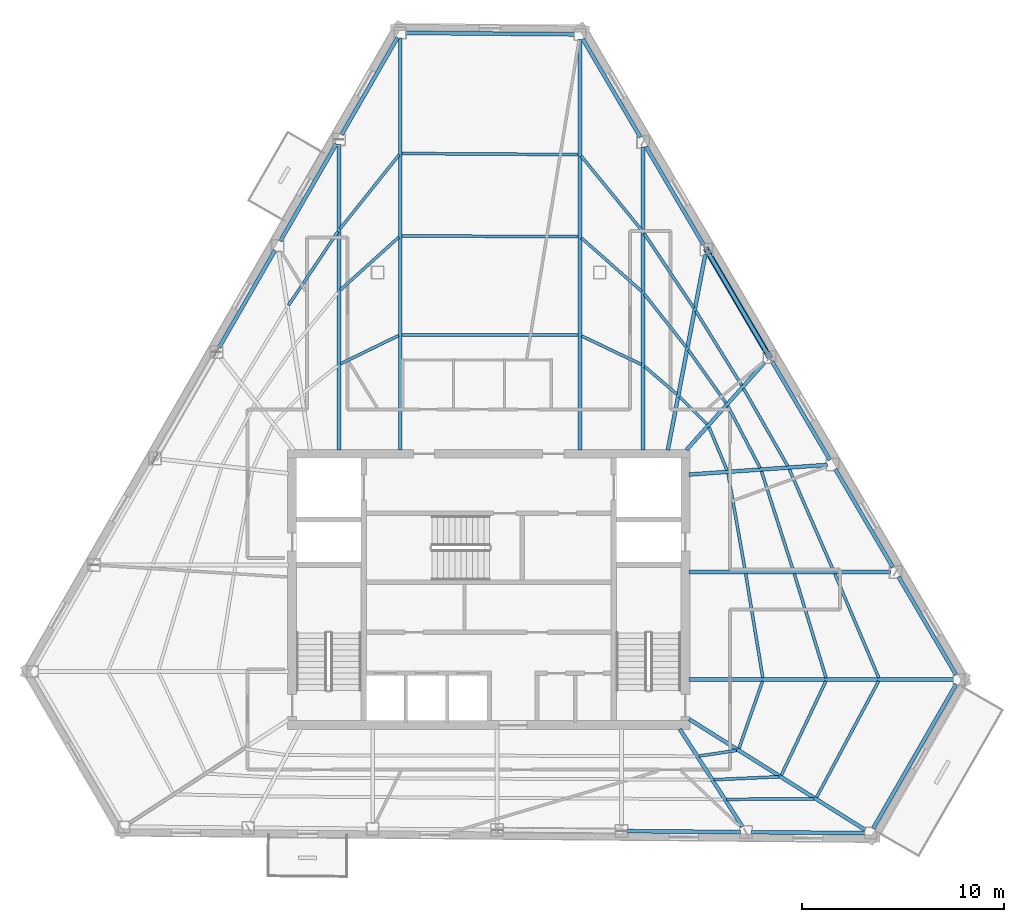
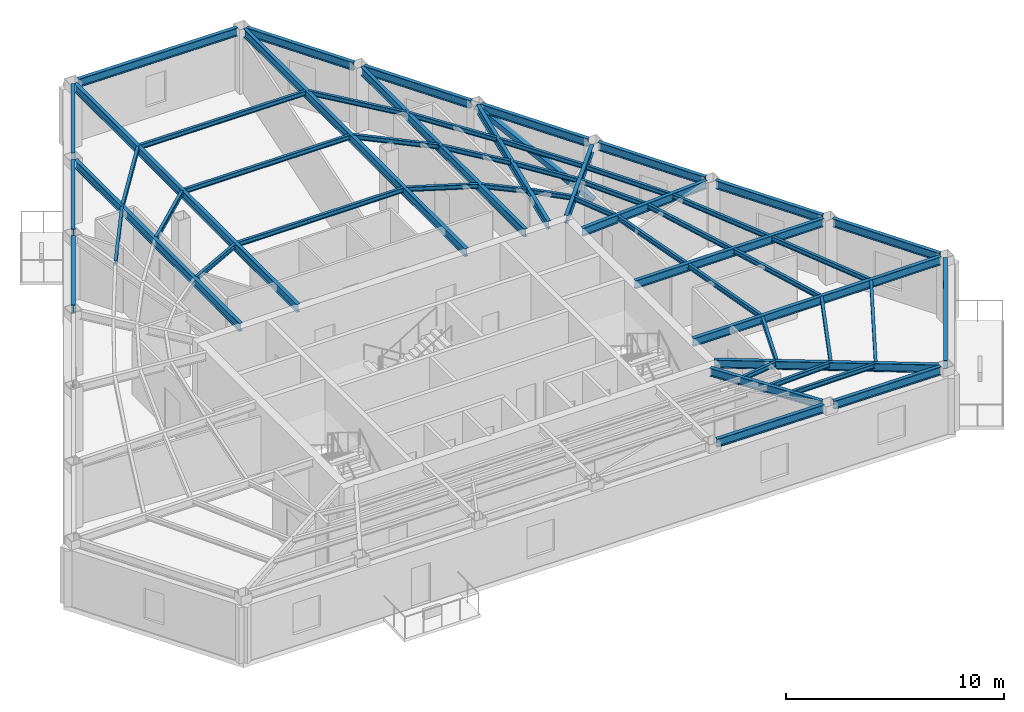
# One storey, part 2 of 12: 55 beams, 1 member.
"""IFC4 building model written with IfcOpenShell, lengths in metres."""

from ifc_helpers import new_model, si_unit, direction, frame, origin, origin_2d, place, context, subcontext, project, spatial, hollow_rectangle, i_section, extrude, material, material_profile, profile_set, type_object, element, save


model = new_model("IFC4")

# Units and contexts
model_context = context("Model", 3, precision=1e-05, world=origin(), true_north=direction((0.0, 1.0)))
body_context = subcontext(model_context, "Body", "Model", "MODEL_VIEW")
ifc_project = project(units=[si_unit("LENGTHUNIT", "METRE"), si_unit("AREAUNIT", "SQUARE_METRE"), si_unit("VOLUMEUNIT", "CUBIC_METRE"), si_unit("PLANEANGLEUNIT", "RADIAN"), si_unit("MASSUNIT", "GRAM", prefix="KILO")], contexts=[model_context])

# Site, building, storey
site_placement = place(None, origin())
site = spatial("IfcSite", under=ifc_project, at=site_placement, CompositionType="ELEMENT")
building_placement = place(site_placement, origin())
building = spatial("IfcBuilding", under=site, at=building_placement, Name="Kavelnor Concourse Tower", CompositionType="ELEMENT")
storey_placement = place(building_placement, frame((0.0, 0.0, 191.949951171875)))
storey = spatial("IfcBuildingStorey", under=building, at=storey_placement, Name="L48", CompositionType="ELEMENT", Elevation=191.949951171875)

# Beams
ifc_material = material(Name="Steel Grade 350", Category="steel")
ifc_material_profile_1 = material_profile(ifc_material, i_section(OverallWidth=0.14599609375, OverallDepth=0.256103515625, WebThickness=0.00634765625, FlangeThickness=0.010986328125, at=origin_2d()), Name="250UB37")
ifc_profile_set_1 = profile_set([ifc_material_profile_1], Name="Steel Grade 350")
beam_type_1 = type_object("IfcBeamType", Name="BM-JOIST-250", PredefinedType="JOIST", material=ifc_profile_set_1)
beam_1_placement = place(storey_placement, frame((48.41748046875, 7.8505859375, 3.47216796875), z_axis=(0.988842801854, 0.148962791401, 0.0), x_axis=(-0.148962791401, 0.988842801854, 0.0)))
element("IfcBeam", 1, at=beam_1_placement, inside=storey, type_object=beam_type_1, Name="L48 Secondary Composite Joist 07-1", PredefinedType="JOIST", context=body_context, shape_type="SweptSolid", body=[
    extrude(i_section(OverallWidth=0.14599609375, OverallDepth=0.256103515625, WebThickness=0.00634765625, FlangeThickness=0.010986328125, at=origin_2d()), origin(), (0.0, 0.0, 1.0), 1.8798828125),
])
beam_2_placement = place(storey_placement, frame((49.16455078125, 6.67919921875, 3.47216796875), z_axis=(0.998964923777, 0.045487152734, 0.0), x_axis=(-0.045487152734, 0.998964923777, 0.0)))
element("IfcBeam", 2, at=beam_2_placement, inside=storey, type_object=beam_type_1, Name="L48 Secondary Composite Joist 07-2", PredefinedType="JOIST", context=body_context, shape_type="SweptSolid", body=[
    extrude(i_section(OverallWidth=0.14599609375, OverallDepth=0.256103515625, WebThickness=0.00634765625, FlangeThickness=0.010986328125, at=origin_2d()), origin(), (0.0, 0.0, 1.0), 3.204345703125),
])
beam_3_placement = place(storey_placement, frame((49.78662109375, 5.706787109375, 3.47216796875), z_axis=(0.99998239898, 0.005933104588, 0.0), x_axis=(-0.005933104588, 0.99998239898, 0.0)))
element("IfcBeam", 3, at=beam_3_placement, inside=storey, type_object=beam_type_1, Name="L48 Secondary Composite Joist 07-3", PredefinedType="JOIST", context=body_context, shape_type="SweptSolid", body=[
    extrude(i_section(OverallWidth=0.14599609375, OverallDepth=0.256103515625, WebThickness=0.00634765625, FlangeThickness=0.010986328125, at=origin_2d()), origin(), (0.0, 0.0, 1.0), 4.320556640625),
])
beam_4_placement = place(storey_placement, frame((50.393798828125, 8.22802734375, 3.47216796875), z_axis=(0.330489270588, 0.943809748851, 0.0), x_axis=(-0.943809748851, 0.330489270588, 0.0)))
element("IfcBeam", 4, at=beam_4_placement, inside=storey, type_object=beam_type_1, Name="L48 Secondary Composite Joist 08-1", PredefinedType="JOIST", context=body_context, shape_type="SweptSolid", body=[
    extrude(i_section(OverallWidth=0.14599609375, OverallDepth=0.256103515625, WebThickness=0.00634765625, FlangeThickness=0.010986328125, at=origin_2d()), origin(), (0.0, 0.0, 1.0), 3.5244140625),
])
beam_5_placement = place(storey_placement, frame((52.49267578125, 6.9091796875, 3.47216796875), z_axis=(0.427974126813, 0.903790986223, 0.0), x_axis=(-0.903790986223, 0.427974126813, 0.0)))
element("IfcBeam", 5, at=beam_5_placement, inside=storey, type_object=beam_type_1, Name="L48 Secondary Composite Joist 08-2", PredefinedType="JOIST", context=body_context, shape_type="SweptSolid", body=[
    extrude(i_section(OverallWidth=0.14599609375, OverallDepth=0.256103515625, WebThickness=0.00634765625, FlangeThickness=0.010986328125, at=origin_2d()), origin(), (0.0, 0.0, 1.0), 5.143798828125),
])
beam_6_placement = place(storey_placement, frame((54.238037109375, 5.8115234375, 3.47216796875), z_axis=(0.471365717768, 0.881937843679, 0.0), x_axis=(-0.881937843679, 0.471365717768, 0.0)))
element("IfcBeam", 6, at=beam_6_placement, inside=storey, type_object=beam_type_1, Name="L48 Secondary Composite Joist 08-3", PredefinedType="JOIST", context=body_context, shape_type="SweptSolid", body=[
    extrude(i_section(OverallWidth=0.14599609375, OverallDepth=0.256103515625, WebThickness=0.00634765625, FlangeThickness=0.010986328125, at=origin_2d()), origin(), (0.0, 0.0, 1.0), 6.517822265625),
])
beam_7_placement = place(storey_placement, frame((51.573486328125, 11.726318359375, 3.47216796875), z_axis=(-0.162205976261, 0.986756921063, 0.0), x_axis=(-0.986756921063, -0.162205976261, 0.0)))
element("IfcBeam", 7, at=beam_7_placement, inside=storey, type_object=beam_type_1, Name="L48 Secondary Composite Joist 09-1", PredefinedType="JOIST", context=body_context, shape_type="SweptSolid", body=[
    extrude(i_section(OverallWidth=0.14599609375, OverallDepth=0.256103515625, WebThickness=0.00634765625, FlangeThickness=0.010986328125, at=origin_2d()), origin(), (0.0, 0.0, 1.0), 5.21826171875),
])
beam_8_placement = place(storey_placement, frame((54.706298828125, 11.723388671875, 3.47216796875), z_axis=(-0.292032097993, 0.956408518229, 0.0), x_axis=(-0.956408518229, -0.292032097993, 0.0)))
element("IfcBeam", 8, at=beam_8_placement, inside=storey, type_object=beam_type_1, Name="L48 Secondary Composite Joist 09-2", PredefinedType="JOIST", context=body_context, shape_type="SweptSolid", body=[
    extrude(i_section(OverallWidth=0.14599609375, OverallDepth=0.256103515625, WebThickness=0.00634765625, FlangeThickness=0.010986328125, at=origin_2d()), origin(), (0.0, 0.0, 1.0), 5.3896484375),
])
beam_9_placement = place(storey_placement, frame((57.317626953125, 11.720458984375, 3.47216796875), z_axis=(-0.389365635028, 0.921083276506, 0.0), x_axis=(-0.921083276506, -0.389365635028, 0.0)))
element("IfcBeam", 9, at=beam_9_placement, inside=storey, type_object=beam_type_1, Name="L48 Secondary Composite Joist 09-3", PredefinedType="JOIST", context=body_context, shape_type="SweptSolid", body=[
    extrude(i_section(OverallWidth=0.14599609375, OverallDepth=0.256103515625, WebThickness=0.00634765625, FlangeThickness=0.010986328125, at=origin_2d()), origin(), (0.0, 0.0, 1.0), 5.60302734375),
])
beam_10_placement = place(storey_placement, frame((50.697265625, 17.05078125, 3.47216796875), z_axis=(-0.173742352493, 0.984791142807, 0.0), x_axis=(-0.984791142807, -0.173742352493, 0.0)))
element("IfcBeam", 10, at=beam_10_placement, inside=storey, type_object=beam_type_1, Name="L48 Secondary Composite Joist 10-1", PredefinedType="JOIST", context=body_context, shape_type="SweptSolid", body=[
    extrude(i_section(OverallWidth=0.14599609375, OverallDepth=0.256103515625, WebThickness=0.00634765625, FlangeThickness=0.010986328125, at=origin_2d()), origin(), (0.0, 0.0, 1.0), 4.860595703125),
])
beam_11_placement = place(storey_placement, frame((53.079345703125, 17.048095703125, 3.47216796875), z_axis=(-0.305004380846, 0.952350947742, 0.0), x_axis=(-0.952350947742, -0.305004380846, 0.0)))
element("IfcBeam", 11, at=beam_11_placement, inside=storey, type_object=beam_type_1, Name="L48 Secondary Composite Joist 10-2", PredefinedType="JOIST", context=body_context, shape_type="SweptSolid", body=[
    extrude(i_section(OverallWidth=0.14599609375, OverallDepth=0.256103515625, WebThickness=0.00634765625, FlangeThickness=0.010986328125, at=origin_2d()), origin(), (0.0, 0.0, 1.0), 5.152587890625),
])
beam_12_placement = place(storey_placement, frame((55.065673828125, 17.044921875, 3.47216796875), z_axis=(-0.399031668161, 0.916937144958, 0.0), x_axis=(-0.916937144958, -0.399031668161, 0.0)))
element("IfcBeam", 12, at=beam_12_placement, inside=storey, type_object=beam_type_1, Name="L48 Secondary Composite Joist 10-3", PredefinedType="JOIST", context=body_context, shape_type="SweptSolid", body=[
    extrude(i_section(OverallWidth=0.14599609375, OverallDepth=0.256103515625, WebThickness=0.00634765625, FlangeThickness=0.010986328125, at=origin_2d()), origin(), (0.0, 0.0, 1.0), 5.463134765625),
])
beam_13_placement = place(storey_placement, frame((49.802978515625, 22.007080078125, 3.47216796875), z_axis=(-0.386674576872, 0.922216228224, 0.0), x_axis=(-0.922216228224, -0.386674576872, 0.0)))
element("IfcBeam", 13, at=beam_13_placement, inside=storey, type_object=beam_type_1, Name="L48 Secondary Composite Joist 11-1", PredefinedType="JOIST", context=body_context, shape_type="SweptSolid", body=[
    extrude(i_section(OverallWidth=0.14599609375, OverallDepth=0.256103515625, WebThickness=0.00634765625, FlangeThickness=0.010986328125, at=origin_2d()), origin(), (0.0, 0.0, 1.0), 2.31396484375),
])
beam_14_placement = place(storey_placement, frame((51.439697265625, 22.118896484375, 3.47216796875), z_axis=(-0.461875374335, 0.886944834013, 0.0), x_axis=(-0.886944834013, -0.461875374335, 0.0)))
element("IfcBeam", 14, at=beam_14_placement, inside=storey, type_object=beam_type_1, Name="L48 Secondary Composite Joist 11-2", PredefinedType="JOIST", context=body_context, shape_type="SweptSolid", body=[
    extrude(i_section(OverallWidth=0.14599609375, OverallDepth=0.256103515625, WebThickness=0.00634765625, FlangeThickness=0.010986328125, at=origin_2d()), origin(), (0.0, 0.0, 1.0), 3.455810546875),
])
beam_15_placement = place(storey_placement, frame((52.80615234375, 22.213134765625, 3.47216796875), z_axis=(-0.494775440538, 0.86902086479, 0.0), x_axis=(-0.86902086479, -0.494775440538, 0.0)))
element("IfcBeam", 15, at=beam_15_placement, inside=storey, type_object=beam_type_1, Name="L48 Secondary Composite Joist 11-3", PredefinedType="JOIST", context=body_context, shape_type="SweptSolid", body=[
    extrude(i_section(OverallWidth=0.14599609375, OverallDepth=0.256103515625, WebThickness=0.00634765625, FlangeThickness=0.010986328125, at=origin_2d()), origin(), (0.0, 0.0, 1.0), 4.417724609375),
])
beam_16_placement = place(storey_placement, frame((48.810791015625, 24.286376953125, 3.47216796875), z_axis=(-0.706598802374, 0.707614395334, 0.0), x_axis=(-0.707614395334, -0.706598802374, 0.0)))
element("IfcBeam", 16, at=beam_16_placement, inside=storey, type_object=beam_type_1, Name="L48 Secondary Composite Joist 12-1", PredefinedType="JOIST", context=body_context, shape_type="SweptSolid", body=[
    extrude(i_section(OverallWidth=0.14599609375, OverallDepth=0.256103515625, WebThickness=0.00634765625, FlangeThickness=0.010986328125, at=origin_2d()), origin(), (0.0, 0.0, 1.0), 1.923095703125),
])
beam_17_placement = place(storey_placement, frame((49.7509765625, 25.335693359375, 3.47216796875), z_axis=(-0.579335752108, 0.815089005158, 0.0), x_axis=(-0.815089005158, -0.579335752108, 0.0)))
element("IfcBeam", 17, at=beam_17_placement, inside=storey, type_object=beam_type_1, Name="L48 Secondary Composite Joist 12-2", PredefinedType="JOIST", context=body_context, shape_type="SweptSolid", body=[
    extrude(i_section(OverallWidth=0.14599609375, OverallDepth=0.256103515625, WebThickness=0.00634765625, FlangeThickness=0.010986328125, at=origin_2d()), origin(), (0.0, 0.0, 1.0), 3.2197265625),
])
beam_18_placement = place(storey_placement, frame((50.529541015625, 26.205322265625, 3.47216796875), z_axis=(-0.525530063245, 0.850775030561, 0.0), x_axis=(-0.850775030561, -0.525530063245, 0.0)))
element("IfcBeam", 18, at=beam_18_placement, inside=storey, type_object=beam_type_1, Name="L48 Secondary Composite Joist 12-3", PredefinedType="JOIST", context=body_context, shape_type="SweptSolid", body=[
    extrude(i_section(OverallWidth=0.14599609375, OverallDepth=0.256103515625, WebThickness=0.00634765625, FlangeThickness=0.010986328125, at=origin_2d()), origin(), (0.0, 0.0, 1.0), 4.33349609375),
])
beam_19_placement = place(storey_placement, frame((47.3212890625, 25.76806640625, 3.47216796875), z_axis=(-0.7595256246, 0.650477382832, 0.0), x_axis=(-0.650477382832, -0.7595256246, 0.0)))
element("IfcBeam", 19, at=beam_19_placement, inside=storey, type_object=beam_type_1, Name="L48 Secondary Composite Joist 13-1", PredefinedType="JOIST", context=body_context, shape_type="SweptSolid", body=[
    extrude(i_section(OverallWidth=0.14599609375, OverallDepth=0.256103515625, WebThickness=0.00634765625, FlangeThickness=0.010986328125, at=origin_2d()), origin(), (0.0, 0.0, 1.0), 2.113525390625),
])
beam_20_placement = place(storey_placement, frame((47.779052734375, 28.102294921875, 3.47216796875), z_axis=(-0.619606476535, 0.784912615669, 0.0), x_axis=(-0.784912615669, -0.619606476535, 0.0)))
element("IfcBeam", 20, at=beam_20_placement, inside=storey, type_object=beam_type_1, Name="L48 Secondary Composite Joist 13-2", PredefinedType="JOIST", context=body_context, shape_type="SweptSolid", body=[
    extrude(i_section(OverallWidth=0.14599609375, OverallDepth=0.256103515625, WebThickness=0.00634765625, FlangeThickness=0.010986328125, at=origin_2d()), origin(), (0.0, 0.0, 1.0), 3.349609375),
])
beam_21_placement = place(storey_placement, frame((48.156005859375, 30.041748046875, 3.47216796875), z_axis=(-0.554801925264, 0.831982465995, 0.0), x_axis=(-0.831982465995, -0.554801925264, 0.0)))
element("IfcBeam", 21, at=beam_21_placement, inside=storey, type_object=beam_type_1, Name="L48 Secondary Composite Joist 13-3", PredefinedType="JOIST", context=body_context, shape_type="SweptSolid", body=[
    extrude(i_section(OverallWidth=0.14599609375, OverallDepth=0.256103515625, WebThickness=0.00634765625, FlangeThickness=0.010986328125, at=origin_2d()), origin(), (0.0, 0.0, 1.0), 4.430419921875),
])
beam_22_placement = place(storey_placement, frame((45.568115234375, 27.239013671875, 3.47216796875), z_axis=(-0.90262277881, 0.430432479227, 0.0), x_axis=(-0.430432479227, -0.90262277881, 0.0)))
element("IfcBeam", 22, at=beam_22_placement, inside=storey, type_object=beam_type_1, Name="L48 Secondary Composite Joist 14-1", PredefinedType="JOIST", context=body_context, shape_type="SweptSolid", body=[
    extrude(i_section(OverallWidth=0.14599609375, OverallDepth=0.256103515625, WebThickness=0.00634765625, FlangeThickness=0.010986328125, at=origin_2d()), origin(), (0.0, 0.0, 1.0), 3.285888671875),
])
beam_23_placement = place(storey_placement, frame((45.581787109375, 30.8603515625, 3.47216796875), z_axis=(-0.748614157278, 0.663005915149, 0.0), x_axis=(-0.663005915149, -0.748614157278, 0.0)))
element("IfcBeam", 23, at=beam_23_placement, inside=storey, type_object=beam_type_1, Name="L48 Secondary Composite Joist 14-2", PredefinedType="JOIST", context=body_context, shape_type="SweptSolid", body=[
    extrude(i_section(OverallWidth=0.14599609375, OverallDepth=0.256103515625, WebThickness=0.00634765625, FlangeThickness=0.010986328125, at=origin_2d()), origin(), (0.0, 0.0, 1.0), 3.998291015625),
])
beam_24_placement = place(storey_placement, frame((45.59228515625, 33.870849609375, 3.47216796875), z_axis=(-0.631965751581, 0.774996315365, 0.0), x_axis=(-0.774996315365, -0.631965751581, 0.0)))
element("IfcBeam", 24, at=beam_24_placement, inside=storey, type_object=beam_type_1, Name="L48 Secondary Composite Joist 14-3", PredefinedType="JOIST", context=body_context, shape_type="SweptSolid", body=[
    extrude(i_section(OverallWidth=0.14599609375, OverallDepth=0.256103515625, WebThickness=0.00634765625, FlangeThickness=0.010986328125, at=origin_2d()), origin(), (0.0, 0.0, 1.0), 4.76904296875),
])
for number, where, z_axis, x_axis, name in (
    (25, (42.43310546875, 28.69189453125, 3.47216796875), (-0.999997172519, 0.002378014762, 0.0), (-0.002378014762, -0.999997172519, 0.0), "L48 Secondary Composite Joist 15-1"),
    (26, (42.43310546875, 33.57080078125, 3.47216796875), (-0.999990230519, 0.004420279108, 0.0), (-0.004420279108, -0.999990230519, 0.0), "L48 Secondary Composite Joist 15-2"),
):
    element("IfcBeam", number, at=place(storey_placement, frame(where, z_axis=z_axis, x_axis=x_axis)), inside=storey, type_object=beam_type_1, Name=name, PredefinedType="JOIST", context=body_context, shape_type="SweptSolid", body=[
        extrude(i_section(OverallWidth=0.14599609375, OverallDepth=0.256103515625, WebThickness=0.00634765625, FlangeThickness=0.010986328125, at=origin_2d()), origin(), (0.0, 0.0, 1.0), 8.7265625),
    ])
beam_25_placement = place(storey_placement, frame((42.43310546875, 37.63623046875, 3.47216796875), z_axis=(-0.99998105927, 0.006154762563, 0.0), x_axis=(-0.006154762563, -0.99998105927, 0.0)))
element("IfcBeam", 27, at=beam_25_placement, inside=storey, type_object=beam_type_1, Name="L48 Secondary Composite Joist 15-3", PredefinedType="JOIST", context=body_context, shape_type="SweptSolid", body=[
    extrude(i_section(OverallWidth=0.14599609375, OverallDepth=0.256103515625, WebThickness=0.00634765625, FlangeThickness=0.010986328125, at=origin_2d()), origin(), (0.0, 0.0, 1.0), 8.726806640625),
])
beam_26_placement = place(storey_placement, frame((33.53759765625, 28.674072265625, 3.47216796875), z_axis=(-0.899307357871, -0.437317134444, 0.0), x_axis=(0.437317134444, -0.899307357871, 0.0)))
element("IfcBeam", 28, at=beam_26_placement, inside=storey, type_object=beam_type_1, Name="L48 Secondary Composite Joist 16-1", PredefinedType="JOIST", context=body_context, shape_type="SweptSolid", body=[
    extrude(i_section(OverallWidth=0.14599609375, OverallDepth=0.256103515625, WebThickness=0.00634765625, FlangeThickness=0.010986328125, at=origin_2d()), origin(), (0.0, 0.0, 1.0), 3.196044921875),
])
beam_27_placement = place(storey_placement, frame((33.551513671875, 33.550048828125, 3.47216796875), z_axis=(-0.742122677728, -0.670264075721, 0.0), x_axis=(0.670264075721, -0.742122677728, 0.0)))
element("IfcBeam", 29, at=beam_27_placement, inside=storey, type_object=beam_type_1, Name="L48 Secondary Composite Joist 16-2", PredefinedType="JOIST", context=body_context, shape_type="SweptSolid", body=[
    extrude(i_section(OverallWidth=0.14599609375, OverallDepth=0.256103515625, WebThickness=0.00634765625, FlangeThickness=0.010986328125, at=origin_2d()), origin(), (0.0, 0.0, 1.0), 3.91064453125),
])
beam_28_placement = place(storey_placement, frame((33.56201171875, 37.620849609375, 3.47216796875), z_axis=(-0.624548725471, -0.78098584463, 0.0), x_axis=(0.78098584463, -0.624548725471, 0.0)))
element("IfcBeam", 30, at=beam_28_placement, inside=storey, type_object=beam_type_1, Name="L48 Secondary Composite Joist 16-3", PredefinedType="JOIST", context=body_context, shape_type="SweptSolid", body=[
    extrude(i_section(OverallWidth=0.14599609375, OverallDepth=0.256103515625, WebThickness=0.00634765625, FlangeThickness=0.010986328125, at=origin_2d()), origin(), (0.0, 0.0, 1.0), 4.680419921875),
])
beam_29_placement = place(storey_placement, frame((30.53369140625, 33.822265625, 3.47216796875), z_axis=(-0.557709912838, -0.830035934838, 0.0), x_axis=(0.830035934838, -0.557709912838, 0.0)))
element("IfcBeam", 31, at=beam_29_placement, inside=storey, type_object=beam_type_1, Name="L48 Secondary Composite Joist 17-3", PredefinedType="JOIST", context=body_context, shape_type="SweptSolid", body=[
    extrude(i_section(OverallWidth=0.14599609375, OverallDepth=0.256103515625, WebThickness=0.00634765625, FlangeThickness=0.010986328125, at=origin_2d()), origin(), (0.0, 0.0, 1.0), 4.393798828125),
])
ifc_material_profile_2 = material_profile(ifc_material, i_section(OverallWidth=0.18994140625, OverallDepth=0.4541015625, WebThickness=0.008544921875, FlangeThickness=0.0126953125, at=origin_2d()), Name="460UB67")
ifc_profile_set_2 = profile_set([ifc_material_profile_2], Name="Steel Grade 350")
beam_type_2 = type_object("IfcBeamType", Name="BM-PRIMARY-460", PredefinedType="BEAM", material=ifc_profile_set_2)
beam_30_placement = place(storey_placement, frame((33.617431640625, 23.0, 3.373046875), z_axis=(0.0, 1.0, 0.0), x_axis=(-1.0, 0.0, 0.0)))
element("IfcBeam", 32, at=beam_30_placement, inside=storey, type_object=beam_type_2, Name="L48 Primary Floor Girder F0-B0", PredefinedType="BEAM", context=body_context, shape_type="SweptSolid", body=[
    extrude(i_section(OverallWidth=0.18994140625, OverallDepth=0.4541015625, WebThickness=0.008544921875, FlangeThickness=0.0126953125, at=origin_2d()), origin(), (0.0, 0.0, 1.0), 20.4033203125),
])
beam_31_placement = place(storey_placement, frame((30.58349609375, 23.0, 3.373046875), z_axis=(0.0, 1.0, 0.0), x_axis=(-1.0, 0.0, 0.0)))
element("IfcBeam", 33, at=beam_31_placement, inside=storey, type_object=beam_type_2, Name="L48 Primary Floor Girder F0-B1", PredefinedType="BEAM", context=body_context, shape_type="SweptSolid", body=[
    extrude(i_section(OverallWidth=0.18994140625, OverallDepth=0.4541015625, WebThickness=0.008544921875, FlangeThickness=0.0126953125, at=origin_2d()), origin(), (0.0, 0.0, 1.0), 15.13330078125),
])
beam_32_placement = place(storey_placement, frame((47.458740234375, 9.193603515625, 3.373046875), z_axis=(0.540227955809, -0.841518719793, 0.0), x_axis=(0.841518719793, 0.540227955809, 0.0)))
element("IfcBeam", 34, at=beam_32_placement, inside=storey, type_object=beam_type_2, Name="L48 Primary Floor Girder F1-B5", PredefinedType="BEAM", context=body_context, shape_type="SweptSolid", body=[
    extrude(i_section(OverallWidth=0.18994140625, OverallDepth=0.4541015625, WebThickness=0.008544921875, FlangeThickness=0.0126953125, at=origin_2d()), origin(), (0.0, 0.0, 1.0), 5.755615234375),
])
beam_33_placement = place(storey_placement, frame((47.926025390625, 9.67822265625, 3.373046875), z_axis=(0.846392094903, -0.532560251696, 0.0), x_axis=(0.532560251696, 0.846392094903, 0.0)))
element("IfcBeam", 35, at=beam_33_placement, inside=storey, type_object=beam_type_2, Name="L48 Primary Floor Girder F1-B6", PredefinedType="BEAM", context=body_context, shape_type="SweptSolid", body=[
    extrude(i_section(OverallWidth=0.18994140625, OverallDepth=0.4541015625, WebThickness=0.008544921875, FlangeThickness=0.0126953125, at=origin_2d()), origin(), (0.0, 0.0, 1.0), 10.2890625),
])
beam_34_placement = place(storey_placement, frame((47.919921875, 11.638427734375, 3.373046875), z_axis=(1.0, 0.0, 0.0), x_axis=(0.0, 1.0, 0.0)))
element("IfcBeam", 36, at=beam_34_placement, inside=storey, type_object=beam_type_2, Name="L48 Primary Floor Girder F2-B0", PredefinedType="BEAM", context=body_context, shape_type="SweptSolid", body=[
    extrude(i_section(OverallWidth=0.18994140625, OverallDepth=0.4541015625, WebThickness=0.008544921875, FlangeThickness=0.0126953125, at=origin_2d()), origin(), (0.0, 0.0, 1.0), 13.100341796875),
])
beam_35_placement = place(storey_placement, frame((47.919921875, 16.96337890625, 3.373046875), z_axis=(1.0, 0.0, 0.0), x_axis=(0.0, 1.0, 0.0)))
element("IfcBeam", 37, at=beam_35_placement, inside=storey, type_object=beam_type_2, Name="L48 Primary Floor Girder F2-B1", PredefinedType="BEAM", context=body_context, shape_type="SweptSolid", body=[
    extrude(i_section(OverallWidth=0.18994140625, OverallDepth=0.4541015625, WebThickness=0.008544921875, FlangeThickness=0.0126953125, at=origin_2d()), origin(), (0.0, 0.0, 1.0), 9.973876953125),
])
beam_36_placement = place(storey_placement, frame((47.920166015625, 21.791015625, 3.373046875), z_axis=(0.997562162183, 0.069783469255, 0.0), x_axis=(-0.069783469255, 0.997562162183, 0.0)))
element("IfcBeam", 38, at=beam_36_placement, inside=storey, type_object=beam_type_2, Name="L48 Primary Floor Girder F2-B2", PredefinedType="BEAM", context=body_context, shape_type="SweptSolid", body=[
    extrude(i_section(OverallWidth=0.18994140625, OverallDepth=0.4541015625, WebThickness=0.008544921875, FlangeThickness=0.0126953125, at=origin_2d()), origin(), (0.0, 0.0, 1.0), 6.8642578125),
])
beam_37_placement = place(storey_placement, frame((47.790283203125, 23.01025390625, 3.373046875), z_axis=(0.666141038034, 0.745825795643, 0.0), x_axis=(-0.745825795643, 0.666141038034, 0.0)))
element("IfcBeam", 39, at=beam_37_placement, inside=storey, type_object=beam_type_2, Name="L48 Primary Floor Girder F2-B3", PredefinedType="BEAM", context=body_context, shape_type="SweptSolid", body=[
    extrude(i_section(OverallWidth=0.18994140625, OverallDepth=0.4541015625, WebThickness=0.008544921875, FlangeThickness=0.0126953125, at=origin_2d()), origin(), (0.0, 0.0, 1.0), 5.80908203125),
])
beam_38_placement = place(storey_placement, frame((46.869384765625, 23.000732421875, 3.373046875), z_axis=(0.188323499697, 0.982107050918, 0.0), x_axis=(-0.982107050918, 0.188323499697, 0.0)))
element("IfcBeam", 40, at=beam_38_placement, inside=storey, type_object=beam_type_2, Name="L48 Primary Floor Girder F2-B4", PredefinedType="BEAM", context=body_context, shape_type="SweptSolid", body=[
    extrude(i_section(OverallWidth=0.18994140625, OverallDepth=0.4541015625, WebThickness=0.008544921875, FlangeThickness=0.0126953125, at=origin_2d()), origin(), (0.0, 0.0, 1.0), 9.8525390625),
])
beam_39_placement = place(storey_placement, frame((45.6484375, 23.0, 3.373046875), z_axis=(0.0, 1.0, 0.0), x_axis=(-1.0, 0.0, 0.0)))
element("IfcBeam", 41, at=beam_39_placement, inside=storey, type_object=beam_type_2, Name="L48 Primary Floor Girder F2-B5", PredefinedType="BEAM", context=body_context, shape_type="SweptSolid", body=[
    extrude(i_section(OverallWidth=0.18994140625, OverallDepth=0.4541015625, WebThickness=0.008544921875, FlangeThickness=0.0126953125, at=origin_2d()), origin(), (0.0, 0.0, 1.0), 15.002685546875),
])
beam_40_placement = place(storey_placement, frame((42.522216796875, 23.0, 3.373046875), z_axis=(0.0, 1.0, 0.0), x_axis=(-1.0, 0.0, 0.0)))
element("IfcBeam", 42, at=beam_40_placement, inside=storey, type_object=beam_type_2, Name="L48 Primary Floor Girder F2-B6", PredefinedType="BEAM", context=body_context, shape_type="SweptSolid", body=[
    extrude(i_section(OverallWidth=0.18994140625, OverallDepth=0.4541015625, WebThickness=0.008544921875, FlangeThickness=0.0126953125, at=origin_2d()), origin(), (0.0, 0.0, 1.0), 20.327392578125),
])
ifc_material_profile_3 = material_profile(ifc_material, i_section(OverallWidth=0.19091796875, OverallDepth=0.4599609375, WebThickness=0.010009765625, FlangeThickness=0.01611328125, at=origin_2d()), Name="460UB82")
ifc_profile_set_3 = profile_set([ifc_material_profile_3], Name="Steel Grade 350")
beam_type_3 = type_object("IfcBeamType", Name="BM-SPANDREL-Z3", PredefinedType="SPANDREL", material=ifc_profile_set_3)
beam_41_placement = place(storey_placement, frame((33.4853515625, 43.43359375, 3.3701171875), z_axis=(-0.498973453525, -0.866617270009, 0.0), x_axis=(0.866617270009, -0.498973453525, 0.0)))
element("IfcBeam", 43, at=beam_41_placement, inside=storey, type_object=beam_type_3, Name="L48 Perimeter Tube Spandrel Beam F0-B0", PredefinedType="SPANDREL", context=body_context, shape_type="SweptSolid", body=[
    extrude(i_section(OverallWidth=0.19091796875, OverallDepth=0.4599609375, WebThickness=0.010009765625, FlangeThickness=0.01611328125, at=origin_2d()), origin(), (0.0, 0.0, 1.0), 5.551025390625),
])
beam_42_placement = place(storey_placement, frame((30.451171875, 38.163818359375, 3.3701171875), z_axis=(-0.498954435565, -0.866628219728, 0.0), x_axis=(0.866628219728, -0.498954435565, 0.0)))
element("IfcBeam", 44, at=beam_42_placement, inside=storey, type_object=beam_type_3, Name="L48 Perimeter Tube Spandrel Beam F0-B1", PredefinedType="SPANDREL", context=body_context, shape_type="SweptSolid", body=[
    extrude(i_section(OverallWidth=0.19091796875, OverallDepth=0.4599609375, WebThickness=0.010009765625, FlangeThickness=0.01611328125, at=origin_2d()), origin(), (0.0, 0.0, 1.0), 5.55126953125),
])
beam_43_placement = place(storey_placement, frame((27.4169921875, 32.893798828125, 3.3701171875), z_axis=(-0.498921403454, -0.866647236871, 0.0), x_axis=(0.866647236871, -0.498921403454, 0.0)))
element("IfcBeam", 45, at=beam_43_placement, inside=storey, type_object=beam_type_3, Name="L48 Perimeter Tube Spandrel Beam F0-B2", PredefinedType="SPANDREL", context=body_context, shape_type="SweptSolid", body=[
    extrude(i_section(OverallWidth=0.19091796875, OverallDepth=0.4599609375, WebThickness=0.010009765625, FlangeThickness=0.01611328125, at=origin_2d()), origin(), (0.0, 0.0, 1.0), 5.551025390625),
])
beam_44_placement = place(storey_placement, frame((42.257080078125, 43.58984375, 3.3701171875), z_axis=(-0.999963769592, 0.008512314755, 0.0), x_axis=(-0.008512314755, -0.999963769592, 0.0)))
element("IfcBeam", 46, at=beam_44_placement, inside=storey, type_object=beam_type_3, Name="L48 Chamfer Facet Spandrel Beam C0", PredefinedType="SPANDREL", context=body_context, shape_type="SweptSolid", body=[
    extrude(i_section(OverallWidth=0.19091796875, OverallDepth=0.4599609375, WebThickness=0.010009765625, FlangeThickness=0.01611328125, at=origin_2d()), origin(), (0.0, 0.0, 1.0), 8.374755859375),
])
for number, where, z_axis, x_axis, name in (
    (47, (44.8427734375, 4.134033203125, 3.3701171875), (0.99996389943, -0.008497048656, 0.0), (0.008497048656, 0.99996389943, 0.0), "L48 Perimeter Tube Spandrel Beam F1-B4"),
    (48, (51.004150390625, 4.08154296875, 3.3701171875), (0.99996389943, -0.008497048656, 0.0), (0.008497048656, 0.99996389943, 0.0), "L48 Perimeter Tube Spandrel Beam F1-B5"),
):
    element("IfcBeam", number, at=place(storey_placement, frame(where, z_axis=z_axis, x_axis=x_axis)), inside=storey, type_object=beam_type_3, Name=name, PredefinedType="SPANDREL", context=body_context, shape_type="SweptSolid", body=[
        extrude(i_section(OverallWidth=0.19091796875, OverallDepth=0.4599609375, WebThickness=0.010009765625, FlangeThickness=0.01611328125, at=origin_2d()), origin(), (0.0, 0.0, 1.0), 5.631591796875),
    ])
beam_45_placement = place(storey_placement, frame((61.14599609375, 11.866943359375, 3.3701171875), z_axis=(-0.506286580132, 0.86236529312, 0.0), x_axis=(-0.86236529312, -0.506286580132, 0.0)))
element("IfcBeam", 49, at=beam_45_placement, inside=storey, type_object=beam_type_3, Name="L48 Perimeter Tube Spandrel Beam F2-B0", PredefinedType="SPANDREL", context=body_context, shape_type="SweptSolid", body=[
    extrude(i_section(OverallWidth=0.19091796875, OverallDepth=0.4599609375, WebThickness=0.010009765625, FlangeThickness=0.01611328125, at=origin_2d()), origin(), (0.0, 0.0, 1.0), 5.644775390625),
])
beam_46_placement = place(storey_placement, frame((58.019775390625, 17.19189453125, 3.3701171875), z_axis=(-0.506305463915, 0.86235420635, 0.0), x_axis=(-0.86235420635, -0.506305463915, 0.0)))
element("IfcBeam", 50, at=beam_46_placement, inside=storey, type_object=beam_type_3, Name="L48 Perimeter Tube Spandrel Beam F2-B1", PredefinedType="SPANDREL", context=body_context, shape_type="SweptSolid", body=[
    extrude(i_section(OverallWidth=0.19091796875, OverallDepth=0.4599609375, WebThickness=0.010009765625, FlangeThickness=0.01611328125, at=origin_2d()), origin(), (0.0, 0.0, 1.0), 5.64453125),
])
beam_47_placement = place(storey_placement, frame((54.893310546875, 22.5166015625, 3.3701171875), z_axis=(-0.506286580132, 0.86236529312, 0.0), x_axis=(-0.86236529312, -0.506286580132, 0.0)))
element("IfcBeam", 51, at=beam_47_placement, inside=storey, type_object=beam_type_3, Name="L48 Perimeter Tube Spandrel Beam F2-B2", PredefinedType="SPANDREL", context=body_context, shape_type="SweptSolid", body=[
    extrude(i_section(OverallWidth=0.19091796875, OverallDepth=0.4599609375, WebThickness=0.010009765625, FlangeThickness=0.01611328125, at=origin_2d()), origin(), (0.0, 0.0, 1.0), 5.644775390625),
])
beam_48_placement = place(storey_placement, frame((51.76708984375, 27.84130859375, 3.3701171875), z_axis=(-0.506318743104, 0.862346409734, 0.0), x_axis=(-0.862346409734, -0.506318743104, 0.0)))
element("IfcBeam", 52, at=beam_48_placement, inside=storey, type_object=beam_type_3, Name="L48 Perimeter Tube Spandrel Beam F2-B3", PredefinedType="SPANDREL", context=body_context, shape_type="SweptSolid", body=[
    extrude(i_section(OverallWidth=0.19091796875, OverallDepth=0.4599609375, WebThickness=0.010009765625, FlangeThickness=0.01611328125, at=origin_2d()), origin(), (0.0, 0.0, 1.0), 5.64501953125),
])
for number, where, z_axis, x_axis, name in (
    (53, (48.640625, 33.166259765625, 3.3701171875), (-0.506286580132, 0.86236529312, 0.0), (-0.86236529312, -0.506286580132, 0.0), "L48 Perimeter Tube Spandrel Beam F2-B4"),
    (54, (45.514404296875, 38.4912109375, 3.3701171875), (-0.506337627259, 0.862335321799, 0.0), (-0.862335321799, -0.506337627259, 0.0), "L48 Perimeter Tube Spandrel Beam F2-B5"),
):
    element("IfcBeam", number, at=place(storey_placement, frame(where, z_axis=z_axis, x_axis=x_axis)), inside=storey, type_object=beam_type_3, Name=name, PredefinedType="SPANDREL", context=body_context, shape_type="SweptSolid", body=[
        extrude(i_section(OverallWidth=0.19091796875, OverallDepth=0.4599609375, WebThickness=0.010009765625, FlangeThickness=0.01611328125, at=origin_2d()), origin(), (0.0, 0.0, 1.0), 5.644775390625),
    ])
beam_49_placement = place(storey_placement, frame((57.03271484375, 4.260986328125, 3.3701171875), z_axis=(0.498976570839, 0.866615475141, 0.0), x_axis=(-0.866615475141, 0.498976570839, 0.0)))
element("IfcBeam", 55, at=beam_49_placement, inside=storey, type_object=beam_type_3, Name="L48 Chamfer Facet Spandrel Beam C2", PredefinedType="SPANDREL", context=body_context, shape_type="SweptSolid", body=[
    extrude(i_section(OverallWidth=0.19091796875, OverallDepth=0.4599609375, WebThickness=0.010009765625, FlangeThickness=0.01611328125, at=origin_2d()), origin(), (0.0, 0.0, 1.0), 8.247802734375),
])

# Member
ifc_material_profile_4 = material_profile(ifc_material, hollow_rectangle(XDim=0.280029296875, YDim=0.280029296875, WallThickness=0.01611328125, at=origin_2d()), Name="SHS 280x280x16")
ifc_profile_set_4 = profile_set([ifc_material_profile_4], Name="Steel Grade 350")
member_type = type_object("IfcMemberType", Name="MBR-TUBE-DIAG-Z3", PredefinedType="BRACE", material=ifc_profile_set_4)
member_placement = place(storey_placement, frame((51.901123046875, 27.61279296875, 0.219970703125), z_axis=(-0.450987887536, 0.76817624483, 0.454439415297), x_axis=(-0.862365874048, -0.506285590628, 0.0)))
element("IfcMember", 56, at=member_placement, inside=storey, type_object=member_type, Name="L48 Framed-Tube Bracing Diagonal F2-B3", PredefinedType="BRACE", context=body_context, shape_type="SweptSolid", body=[
    extrude(hollow_rectangle(XDim=0.280029296875, YDim=0.280029296875, WallThickness=0.01611328125, at=origin_2d()), origin(), (0.0, 0.0, 1.0), 6.931884765625),
])

save(model, "model.ifc")
